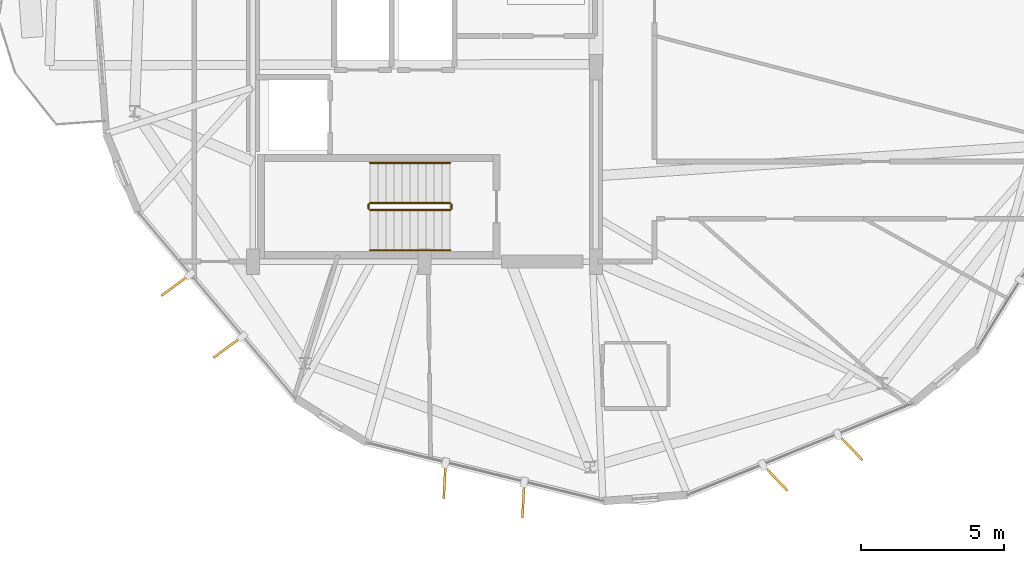
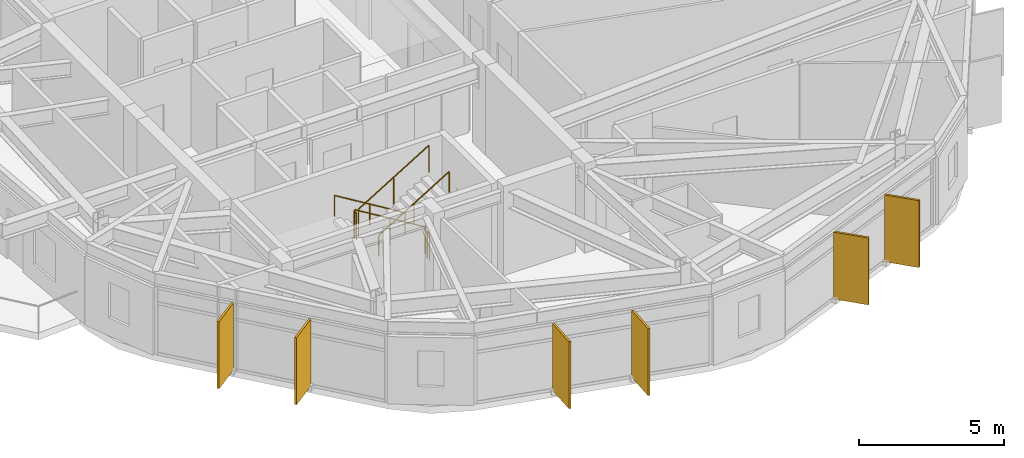
# One storey, part 24 of 26: 6 railings, 6 shading devices.
"""IFC4 building model written with IfcOpenShell, lengths in metres."""

from ifc_helpers import new_model, si_unit, direction, frame, origin, origin_2d, place, context, subcontext, project, spatial, rectangle, circle, extrude, material, layer, layer_set, type_object, element, save


model = new_model("IFC4")

# Units and contexts
model_context = context("Model", 3, precision=1e-05, world=origin(), true_north=direction((0.0, 1.0)))
body_context = subcontext(model_context, "Body", "Model", "MODEL_VIEW")
ifc_project = project(units=[si_unit("LENGTHUNIT", "METRE"), si_unit("AREAUNIT", "SQUARE_METRE"), si_unit("VOLUMEUNIT", "CUBIC_METRE"), si_unit("PLANEANGLEUNIT", "RADIAN"), si_unit("MASSUNIT", "GRAM", prefix="KILO")], contexts=[model_context])

# Site, building, storey
site_placement = place(None, origin())
site = spatial("IfcSite", under=ifc_project, at=site_placement, CompositionType="ELEMENT")
building_placement = place(site_placement, origin())
building = spatial("IfcBuilding", under=site, at=building_placement, Name="Soratama Intermodal Tower", CompositionType="ELEMENT")
storey_placement = place(building_placement, frame((0.0, 0.0, 246.25)))
storey = spatial("IfcBuildingStorey", under=building, at=storey_placement, Name="L62", CompositionType="ELEMENT", Elevation=246.25)

# Railings
ifc_material_1 = material(Name="Painted steel stair guardrail", Category="steel")
railing_type_1 = type_object("IfcRailingType", Name="RL-STAIR-GUARD", PredefinedType="GUARDRAIL", material=ifc_material_1)
railing_1_placement = place(storey_placement, frame((39.5, 17.050048828125, 0.17041015625)))
element("IfcRailing", 1, at=railing_1_placement, inside=storey, type_object=railing_type_1, Name="L62 ST-1 stair guard 1", PredefinedType="GUARDRAIL", context=body_context, shape_type="SweptSolid", body=[
    extrude(circle(Radius=0.02392578125, at=origin_2d()), frame((0.0, 0.0, 1.1259765625), z_axis=(-0.854169791009, 0.0, 0.51999420009), x_axis=(0.0, -1.0, 0.0)), (0.0, 0.0, 1.0), 3.278076171875),
    extrude(circle(Radius=0.02099609375, at=origin_2d()), origin(), (0.0, 0.0, 1.0), 1.101806640625),
    extrude(circle(Radius=0.02099609375, at=origin_2d()), frame((-1.39990234375, 0.0, 0.852294921875)), (0.0, 0.0, 1.0), 1.101806640625),
    extrude(circle(Radius=0.02099609375, at=origin_2d()), frame((-2.800048828125, 0.0, 1.70458984375)), (0.0, 0.0, 1.0), 1.101806640625),
])
railing_2_placement = place(storey_placement, frame((36.64990234375, 17.0, 1.875)))
element("IfcRailing", 2, at=railing_2_placement, inside=storey, type_object=railing_type_1, Name="L62 ST-1 stair guard 2", PredefinedType="GUARDRAIL", context=body_context, shape_type="SweptSolid", body=[
    extrude(circle(Radius=0.02392578125, at=origin_2d()), frame((0.0, 0.0, 1.1259765625), z_axis=(0.0, -1.0, 0.0), x_axis=(1.0, 0.0, 0.0)), (0.0, 0.0, 1.0), 0.14990234375),
    extrude(circle(Radius=0.02099609375, at=origin_2d()), origin(), (0.0, 0.0, 1.0), 1.101806640625),
    extrude(circle(Radius=0.02099609375, at=origin_2d()), frame((0.0, -0.14990234375, 0.0)), (0.0, 0.0, 1.0), 1.101806640625),
])
railing_3_placement = place(storey_placement, frame((36.699951171875, 16.800048828125, 2.04541015625)))
element("IfcRailing", 3, at=railing_3_placement, inside=storey, type_object=railing_type_1, Name="L62 ST-1 stair guard 3", PredefinedType="GUARDRAIL", context=body_context, shape_type="SweptSolid", body=[
    extrude(circle(Radius=0.02392578125, at=origin_2d()), frame((0.0, 0.0, 1.1259765625), z_axis=(0.854169791009, 0.0, 0.51999420009), x_axis=(0.0, 1.0, 0.0)), (0.0, 0.0, 1.0), 3.278076171875),
    extrude(circle(Radius=0.02099609375, at=origin_2d()), origin(), (0.0, 0.0, 1.0), 1.101806640625),
    extrude(circle(Radius=0.02099609375, at=origin_2d()), frame((1.39990234375, 0.0, 0.852294921875)), (0.0, 0.0, 1.0), 1.101806640625),
    extrude(circle(Radius=0.02099609375, at=origin_2d()), frame((2.800048828125, 0.0, 1.70458984375)), (0.0, 0.0, 1.0), 1.101806640625),
])
railing_4_placement = place(storey_placement, frame((39.550048828125, 17.0, 0.0)))
element("IfcRailing", 4, at=railing_4_placement, inside=storey, type_object=railing_type_1, Name="L62 ST-1 stair guard 4", PredefinedType="GUARDRAIL", context=body_context, shape_type="SweptSolid", body=[
    extrude(circle(Radius=0.02392578125, at=origin_2d()), frame((0.0, 0.0, 1.1259765625), z_axis=(0.0, -1.0, 0.0), x_axis=(1.0, 0.0, 0.0)), (0.0, 0.0, 1.0), 0.14990234375),
    extrude(circle(Radius=0.02099609375, at=origin_2d()), origin(), (0.0, 0.0, 1.0), 1.101806640625),
    extrude(circle(Radius=0.02099609375, at=origin_2d()), frame((0.0, -0.14990234375, 0.0)), (0.0, 0.0, 1.0), 1.101806640625),
])
ifc_material_2 = material(Name="Brushed stainless steel handrail", Category="steel")
railing_type_2 = type_object("IfcRailingType", Name="RL-STAIR-HAND", PredefinedType="HANDRAIL", material=ifc_material_2)
railing_5_placement = place(storey_placement, frame((39.5, 18.449951171875, 0.17041015625)))
element("IfcRailing", 5, at=railing_5_placement, inside=storey, type_object=railing_type_2, Name="L62 ST-1 stair handrail 1", PredefinedType="HANDRAIL", context=body_context, shape_type="SweptSolid", body=[
    extrude(circle(Radius=0.02392578125, at=origin_2d()), frame((0.0, 0.0, 0.8759765625), z_axis=(-0.854169791009, 0.0, 0.51999420009), x_axis=(0.0, -1.0, 0.0)), (0.0, 0.0, 1.0), 3.278076171875),
    extrude(circle(Radius=0.02099609375, at=origin_2d()), origin(), (0.0, 0.0, 1.0), 0.851806640625),
    extrude(circle(Radius=0.02099609375, at=origin_2d()), frame((-1.39990234375, 0.0, 0.852294921875)), (0.0, 0.0, 1.0), 0.851806640625),
    extrude(circle(Radius=0.02099609375, at=origin_2d()), frame((-2.800048828125, 0.0, 1.70458984375)), (0.0, 0.0, 1.0), 0.851806640625),
])
railing_6_placement = place(storey_placement, frame((36.699951171875, 15.39990234375, 2.04541015625)))
element("IfcRailing", 6, at=railing_6_placement, inside=storey, type_object=railing_type_2, Name="L62 ST-1 stair handrail 2", PredefinedType="HANDRAIL", context=body_context, shape_type="SweptSolid", body=[
    extrude(circle(Radius=0.02392578125, at=origin_2d()), frame((0.0, 0.0, 0.8759765625), z_axis=(0.854169791009, 0.0, 0.51999420009), x_axis=(0.0, 1.0, 0.0)), (0.0, 0.0, 1.0), 3.278076171875),
    extrude(circle(Radius=0.02099609375, at=origin_2d()), origin(), (0.0, 0.0, 1.0), 0.851806640625),
    extrude(circle(Radius=0.02099609375, at=origin_2d()), frame((1.39990234375, 0.0, 0.852294921875)), (0.0, 0.0, 1.0), 0.851806640625),
    extrude(circle(Radius=0.02099609375, at=origin_2d()), frame((2.800048828125, 0.0, 1.70458984375)), (0.0, 0.0, 1.0), 0.851806640625),
])

# Shading devices
ifc_material_3 = material(Name="Champagne anodised aluminium solar fin", Category="aluminium")
ifc_layer = layer(ifc_material_3, 0.080078125)
ifc_layer_set = layer_set([ifc_layer], Name="Champagne anodised aluminium solar fin")
shading_device_type = type_object("IfcShadingDeviceType", Name="SH-FIN-1250", PredefinedType="USERDEFINED", material=ifc_layer_set)
for number, where, z_axis, x_axis, name in (
    (7, (29.89892578125, 14.173828125, 0.02001953125), (0.0, 0.0, 1.0), (-0.80499735623, -0.593278397097, 0.0), "L62 Solar Fin F05-1"),
    (8, (31.725341796875, 12.008056640625, 0.02001953125), (0.0, 0.0, 1.0), (-0.80499735623, -0.593278397097, 0.0), "L62 Solar Fin F05-2"),
    (9, (39.30810546875, 7.3359375, 0.02001953125), (0.0, 0.0, 1.0), (-0.05163876861, -0.998665828782, 0.0), "L62 Solar Fin F06-1"),
    (10, (42.058837890625, 6.6572265625, 0.02001953125), (0.0, 0.0, 1.0), (-0.05163876861, -0.998665828782, 0.0), "L62 Solar Fin F06-2"),
    (11, (50.870361328125, 7.43701171875, 0.02001953125), (0.0, 0.0, 1.0), (0.688607737173, -0.725134045749, 0.0), "L62 Solar Fin F07-1"),
    (12, (53.49462890625, 8.504638671875, 0.02001953125), (0.0, 0.0, 1.0), (0.688607737173, -0.725134045749, 0.0), "L62 Solar Fin F07-2"),
):
    element("IfcShadingDevice", number, at=place(storey_placement, frame(where, z_axis=z_axis, x_axis=x_axis)), inside=storey, type_object=shading_device_type, Name=name, ObjectType="FIN", PredefinedType="USERDEFINED", context=body_context, shape_type="SweptSolid", body=[
        extrude(rectangle(XDim=1.25, YDim=0.080078125, at=origin_2d()), origin(), (0.0, 0.0, 1.0), 2.80908203125),
    ])

save(model, "model.ifc")
